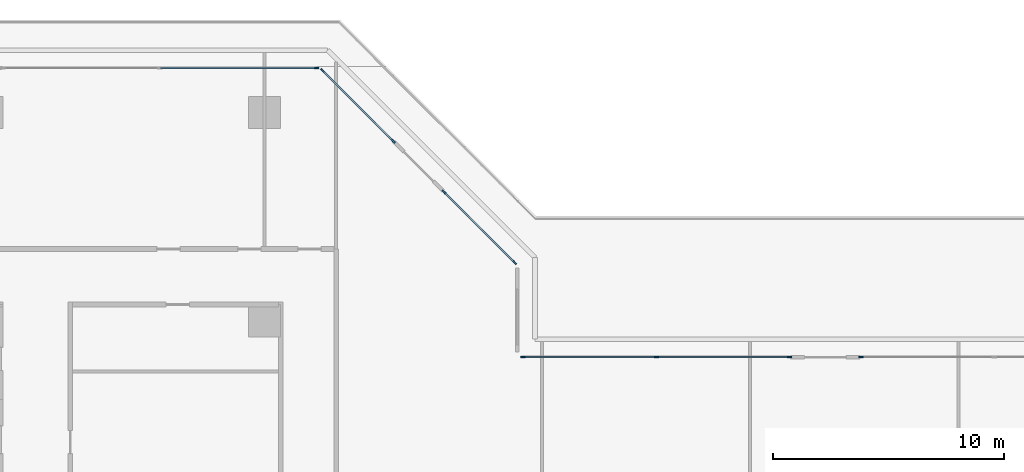
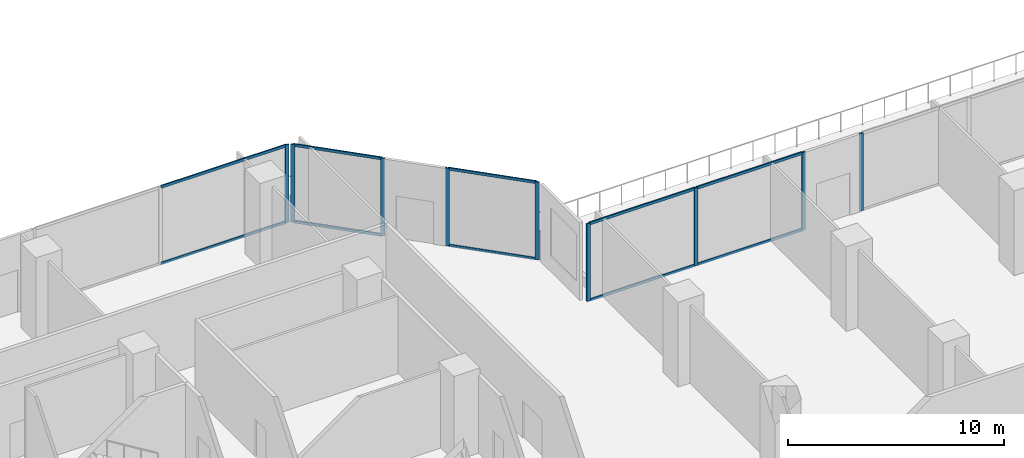
# One storey, part 10 of 31: 19 members, 5 elements without a shape of their own.
"""IFC4 building model written with IfcOpenShell, lengths in metres."""

from ifc_helpers import new_model, si_unit, direction, frame, origin, origin_2d, place, context, subcontext, project, spatial, rectangle, extrude, material, layer, layer_set, material_profile, profile_set, type_object, element, aggregate, save


model = new_model("IFC4")

# Units and contexts
model_context = context("Model", 3, precision=1e-05, world=origin(), true_north=direction((0.0, 1.0)))
body_context = subcontext(model_context, "Body", "Model", "MODEL_VIEW")
ifc_project = project(units=[si_unit("LENGTHUNIT", "METRE"), si_unit("AREAUNIT", "SQUARE_METRE"), si_unit("VOLUMEUNIT", "CUBIC_METRE"), si_unit("PLANEANGLEUNIT", "RADIAN"), si_unit("MASSUNIT", "GRAM", prefix="KILO")], contexts=[model_context])

# Site, building, storey
site_placement = place(None, origin())
site = spatial("IfcSite", under=ifc_project, at=site_placement, CompositionType="ELEMENT")
building_placement = place(site_placement, origin())
building = spatial("IfcBuilding", under=site, at=building_placement, Name="Chenar Terraces", CompositionType="ELEMENT")
storey_placement = place(building_placement, frame((0.0, 0.0, 12.0)))
storey = spatial("IfcBuildingStorey", under=building, at=storey_placement, Name="L02", CompositionType="ELEMENT", Elevation=12.0)

# Curtain wall, members
ifc_material_1 = material(Name="Aluminium framed glazing", Category="aluminium")
ifc_layer = layer(ifc_material_1, 0.14990234375)
ifc_layer_set = layer_set([ifc_layer], Name="Aluminium framed glazing")
curtain_wall_type = type_object("IfcCurtainWallType", Name="School curtain wall", PredefinedType="NOTDEFINED", material=ifc_layer_set)
placement = place(storey_placement, origin())
curtain_wall_1 = element("IfcCurtainWall", 1, at=placement, inside=storey, type_object=curtain_wall_type, Name="School curtain wall", PredefinedType="NOTDEFINED")
ifc_material_2 = material(Name="Aluminium", Category="aluminium")
ifc_material_profile_1 = material_profile(ifc_material_2, rectangle(XDim=0.070068359375, YDim=0.199951171875, at=origin_2d()), Name="School glazing mullion 70 x 200")
ifc_profile_set_1 = profile_set([ifc_material_profile_1], Name="Aluminium")
member_type_1 = type_object("IfcMemberType", Name="School glazing mullion 70 x 200", PredefinedType="MULLION", material=ifc_profile_set_1)
member_1_placement = place(storey_placement, frame((34.816162109375, 65.5126953125, 0.0), z_axis=(0.0, 0.0, 1.0), x_axis=(-0.707106781187, -0.707106781187, 0.0)))
member_1 = element("IfcMember", 2, at=member_1_placement, type_object=member_type_1, Name="CW2-02c0 mullion 1", PredefinedType="MULLION", context=body_context, shape_type="SweptSolid", body=[
    extrude(rectangle(XDim=0.070068359375, YDim=0.199951171875, at=origin_2d()), origin(), (0.0, 0.0, 1.0), 4.39990234375),
])
member_2_placement = place(storey_placement, frame((31.7587890625, 68.5703125, 0.0), z_axis=(0.0, 0.0, 1.0), x_axis=(-0.707106781187, -0.707106781187, 0.0)))
member_2 = element("IfcMember", 3, at=member_2_placement, type_object=member_type_1, Name="CW2-02c0 mullion 2", PredefinedType="MULLION", context=body_context, shape_type="SweptSolid", body=[
    extrude(rectangle(XDim=0.070068359375, YDim=0.199951171875, at=origin_2d()), origin(), (0.0, 0.0, 1.0), 4.39990234375),
])

curtain_wall_2 = element("IfcCurtainWall", 4, at=placement, inside=storey, type_object=curtain_wall_type, Name="School curtain wall", PredefinedType="NOTDEFINED")
member_3_placement = place(storey_placement, frame((29.5703125, 70.7587890625, 0.0), z_axis=(0.0, 0.0, 1.0), x_axis=(-0.707106781187, -0.707106781187, 0.0)))
member_3 = element("IfcMember", 5, at=member_3_placement, type_object=member_type_1, Name="CW2-02c1 mullion 1", PredefinedType="MULLION", context=body_context, shape_type="SweptSolid", body=[
    extrude(rectangle(XDim=0.070068359375, YDim=0.199951171875, at=origin_2d()), origin(), (0.0, 0.0, 1.0), 4.39990234375),
])
member_4_placement = place(storey_placement, frame((26.5126953125, 73.816162109375, 0.0), z_axis=(0.0, 0.0, 1.0), x_axis=(-0.707106781187, -0.707106781187, 0.0)))
member_4 = element("IfcMember", 6, at=member_4_placement, type_object=member_type_1, Name="CW2-02c1 mullion 2", PredefinedType="MULLION", context=body_context, shape_type="SweptSolid", body=[
    extrude(rectangle(XDim=0.070068359375, YDim=0.199951171875, at=origin_2d()), origin(), (0.0, 0.0, 1.0), 4.39990234375),
])

# Curtain wall, member
curtain_wall_3 = element("IfcCurtainWall", 7, at=placement, inside=storey, type_object=curtain_wall_type, Name="School curtain wall", PredefinedType="NOTDEFINED")
member_5_placement = place(storey_placement, frame((26.25, 73.925048828125, 0.0), z_axis=(0.0, 0.0, 1.0), x_axis=(0.0, -1.0, 0.0)))
member_5 = element("IfcMember", 8, at=member_5_placement, type_object=member_type_1, Name="CW2-03c0 mullion 1", PredefinedType="MULLION", context=body_context, shape_type="SweptSolid", body=[
    extrude(rectangle(XDim=0.070068359375, YDim=0.199951171875, at=origin_2d()), origin(), (0.0, 0.0, 1.0), 4.39990234375),
])

curtain_wall_4 = element("IfcCurtainWall", 9, at=placement, inside=storey, type_object=curtain_wall_type, Name="School curtain wall", PredefinedType="NOTDEFINED")
member_6_placement = place(storey_placement, frame((49.797607421875, 61.425048828125, 0.0), z_axis=(0.0, 0.0, 1.0), x_axis=(0.0, -1.0, 0.0)))
member_6 = element("IfcMember", 10, at=member_6_placement, type_object=member_type_1, Name="CW2-13c0 mullion 3", PredefinedType="MULLION", context=body_context, shape_type="SweptSolid", body=[
    extrude(rectangle(XDim=0.070068359375, YDim=0.199951171875, at=origin_2d()), origin(), (0.0, 0.0, 1.0), 4.39990234375),
])
aggregate(curtain_wall_4, [member_6])

# Curtain wall, members
curtain_wall_5 = element("IfcCurtainWall", 11, at=placement, inside=storey, type_object=curtain_wall_type, Name="School curtain wall", PredefinedType="NOTDEFINED")
member_7_placement = place(storey_placement, frame((46.702392578125, 61.425048828125, 0.0), z_axis=(0.0, 0.0, 1.0), x_axis=(0.0, -1.0, 0.0)))
member_7 = element("IfcMember", 12, at=member_7_placement, type_object=member_type_1, Name="CW2-13c1 mullion 1", PredefinedType="MULLION", context=body_context, shape_type="SweptSolid", body=[
    extrude(rectangle(XDim=0.070068359375, YDim=0.199951171875, at=origin_2d()), origin(), (0.0, 0.0, 1.0), 4.39990234375),
])
member_8_placement = place(storey_placement, frame((40.94384765625, 61.425048828125, 0.0), z_axis=(0.0, 0.0, 1.0), x_axis=(0.0, -1.0, 0.0)))
member_8 = element("IfcMember", 13, at=member_8_placement, type_object=member_type_1, Name="CW2-13c1 mullion 2", PredefinedType="MULLION", context=body_context, shape_type="SweptSolid", body=[
    extrude(rectangle(XDim=0.070068359375, YDim=0.199951171875, at=origin_2d()), origin(), (0.0, 0.0, 1.0), 4.39990234375),
])
member_9_placement = place(storey_placement, frame((35.18505859375, 61.425048828125, 0.0), z_axis=(0.0, 0.0, 1.0), x_axis=(0.0, -1.0, 0.0)))
member_9 = element("IfcMember", 14, at=member_9_placement, type_object=member_type_1, Name="CW2-13c1 mullion 3", PredefinedType="MULLION", context=body_context, shape_type="SweptSolid", body=[
    extrude(rectangle(XDim=0.070068359375, YDim=0.199951171875, at=origin_2d()), origin(), (0.0, 0.0, 1.0), 4.39990234375),
])

# Member
ifc_material_3 = material(Name="Aluminium", Category="aluminium")
ifc_material_profile_2 = material_profile(ifc_material_3, rectangle(XDim=0.070068359375, YDim=0.14990234375, at=origin_2d()), Name="School glazing transom 70 x 150")
ifc_profile_set_2 = profile_set([ifc_material_profile_2], Name="Aluminium")
member_type_2 = type_object("IfcMemberType", Name="School glazing transom 70 x 150", PredefinedType="USERDEFINED", material=ifc_profile_set_2)
member_10_placement = place(storey_placement, frame((34.79150390625, 65.53759765625, 0.034912109375), z_axis=(-0.707135476955, 0.707078084253, 0.0), x_axis=(-0.707078084253, -0.707135476955, 0.0)))
member_10 = element("IfcMember", 15, at=member_10_placement, type_object=member_type_2, Name="CW2-02c0 transom 1.1", ObjectType="TRANSOM", PredefinedType="USERDEFINED", context=body_context, shape_type="SweptSolid", body=[
    extrude(rectangle(XDim=0.070068359375, YDim=0.14990234375, at=origin_2d()), origin(), (0.0, 0.0, 1.0), 4.25390625),
])

member_11_placement = place(storey_placement, frame((34.79150390625, 65.53759765625, 4.364990234375), z_axis=(-0.707135476955, 0.707078084253, 0.0), x_axis=(-0.707078084253, -0.707135476955, 0.0)))
member_11 = element("IfcMember", 16, at=member_11_placement, type_object=member_type_2, Name="CW2-02c0 transom 1.2", ObjectType="TRANSOM", PredefinedType="USERDEFINED", context=body_context, shape_type="SweptSolid", body=[
    extrude(rectangle(XDim=0.070068359375, YDim=0.14990234375, at=origin_2d()), origin(), (0.0, 0.0, 1.0), 4.25390625),
])

aggregate(curtain_wall_1, [member_1, member_2, member_10, member_11])

member_12_placement = place(storey_placement, frame((29.54541015625, 70.783447265625, 0.034912109375), z_axis=(-0.707078084253, 0.707135476955, 0.0), x_axis=(-0.707135476955, -0.707078084253, 0.0)))
member_12 = element("IfcMember", 17, at=member_12_placement, type_object=member_type_2, Name="CW2-02c1 transom 1.1", ObjectType="TRANSOM", PredefinedType="USERDEFINED", context=body_context, shape_type="SweptSolid", body=[
    extrude(rectangle(XDim=0.070068359375, YDim=0.14990234375, at=origin_2d()), origin(), (0.0, 0.0, 1.0), 4.25390625),
])

member_13_placement = place(storey_placement, frame((29.54541015625, 70.783447265625, 4.364990234375), z_axis=(-0.707078084253, 0.707135476955, 0.0), x_axis=(-0.707135476955, -0.707078084253, 0.0)))
member_13 = element("IfcMember", 18, at=member_13_placement, type_object=member_type_2, Name="CW2-02c1 transom 1.2", ObjectType="TRANSOM", PredefinedType="USERDEFINED", context=body_context, shape_type="SweptSolid", body=[
    extrude(rectangle(XDim=0.070068359375, YDim=0.14990234375, at=origin_2d()), origin(), (0.0, 0.0, 1.0), 4.25390625),
])

aggregate(curtain_wall_2, [member_3, member_4, member_12, member_13])

member_14_placement = place(storey_placement, frame((26.215087890625, 73.925048828125, 0.034912109375), z_axis=(-1.0, 0.0, 0.0), x_axis=(0.0, -1.0, 0.0)))
member_14 = element("IfcMember", 19, at=member_14_placement, type_object=member_type_2, Name="CW2-03c0 transom 1.1", ObjectType="TRANSOM", PredefinedType="USERDEFINED", context=body_context, shape_type="SweptSolid", body=[
    extrude(rectangle(XDim=0.070068359375, YDim=0.14990234375, at=origin_2d()), origin(), (0.0, 0.0, 1.0), 6.706298828125),
])

member_15_placement = place(storey_placement, frame((26.215087890625, 73.925048828125, 4.364990234375), z_axis=(-1.0, 0.0, 0.0), x_axis=(0.0, -1.0, 0.0)))
member_15 = element("IfcMember", 20, at=member_15_placement, type_object=member_type_2, Name="CW2-03c0 transom 1.2", ObjectType="TRANSOM", PredefinedType="USERDEFINED", context=body_context, shape_type="SweptSolid", body=[
    extrude(rectangle(XDim=0.070068359375, YDim=0.14990234375, at=origin_2d()), origin(), (0.0, 0.0, 1.0), 6.706298828125),
])

aggregate(curtain_wall_3, [member_5, member_14, member_15])

member_16_placement = place(storey_placement, frame((46.66748046875, 61.425048828125, 0.034912109375), z_axis=(-1.0, 0.0, 0.0), x_axis=(0.0, -1.0, 0.0)))
member_16 = element("IfcMember", 21, at=member_16_placement, type_object=member_type_2, Name="CW2-13c1 transom 1.1", ObjectType="TRANSOM", PredefinedType="USERDEFINED", context=body_context, shape_type="SweptSolid", body=[
    extrude(rectangle(XDim=0.070068359375, YDim=0.14990234375, at=origin_2d()), origin(), (0.0, 0.0, 1.0), 5.688720703125),
])

member_17_placement = place(storey_placement, frame((46.66748046875, 61.425048828125, 4.364990234375), z_axis=(-1.0, 0.0, 0.0), x_axis=(0.0, -1.0, 0.0)))
member_17 = element("IfcMember", 22, at=member_17_placement, type_object=member_type_2, Name="CW2-13c1 transom 1.2", ObjectType="TRANSOM", PredefinedType="USERDEFINED", context=body_context, shape_type="SweptSolid", body=[
    extrude(rectangle(XDim=0.070068359375, YDim=0.14990234375, at=origin_2d()), origin(), (0.0, 0.0, 1.0), 5.688720703125),
])

member_18_placement = place(storey_placement, frame((40.90869140625, 61.425048828125, 0.034912109375), z_axis=(-1.0, 0.0, 0.0), x_axis=(0.0, -1.0, 0.0)))
member_18 = element("IfcMember", 23, at=member_18_placement, type_object=member_type_2, Name="CW2-13c1 transom 2.1", ObjectType="TRANSOM", PredefinedType="USERDEFINED", context=body_context, shape_type="SweptSolid", body=[
    extrude(rectangle(XDim=0.070068359375, YDim=0.14990234375, at=origin_2d()), origin(), (0.0, 0.0, 1.0), 5.688720703125),
])

member_19_placement = place(storey_placement, frame((40.90869140625, 61.425048828125, 4.364990234375), z_axis=(-1.0, 0.0, 0.0), x_axis=(0.0, -1.0, 0.0)))
member_19 = element("IfcMember", 24, at=member_19_placement, type_object=member_type_2, Name="CW2-13c1 transom 2.2", ObjectType="TRANSOM", PredefinedType="USERDEFINED", context=body_context, shape_type="SweptSolid", body=[
    extrude(rectangle(XDim=0.070068359375, YDim=0.14990234375, at=origin_2d()), origin(), (0.0, 0.0, 1.0), 5.688720703125),
])

aggregate(curtain_wall_5, [member_7, member_8, member_9, member_16, member_17, member_18, member_19])

save(model, "model.ifc")
